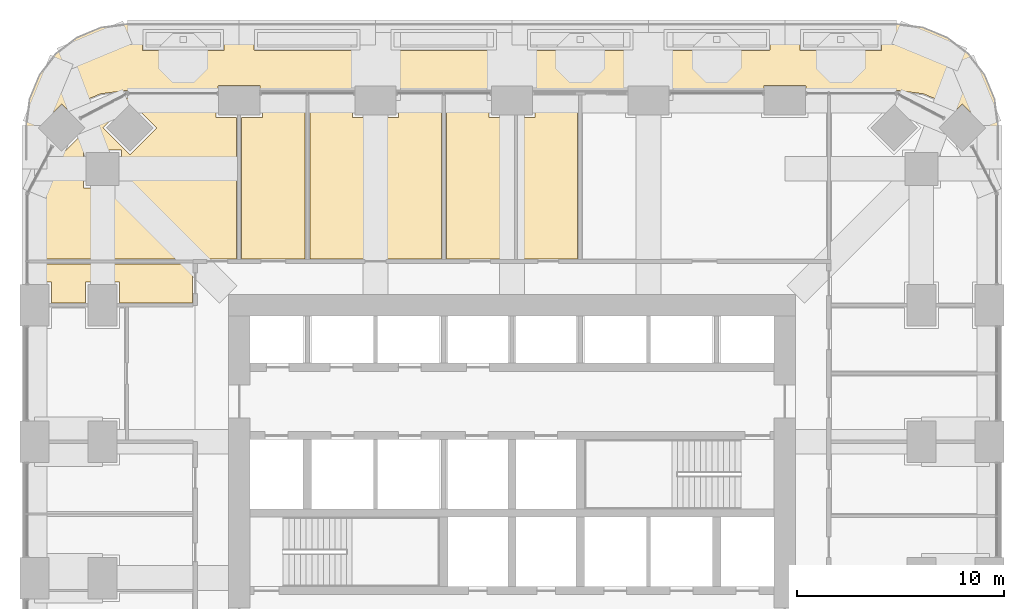
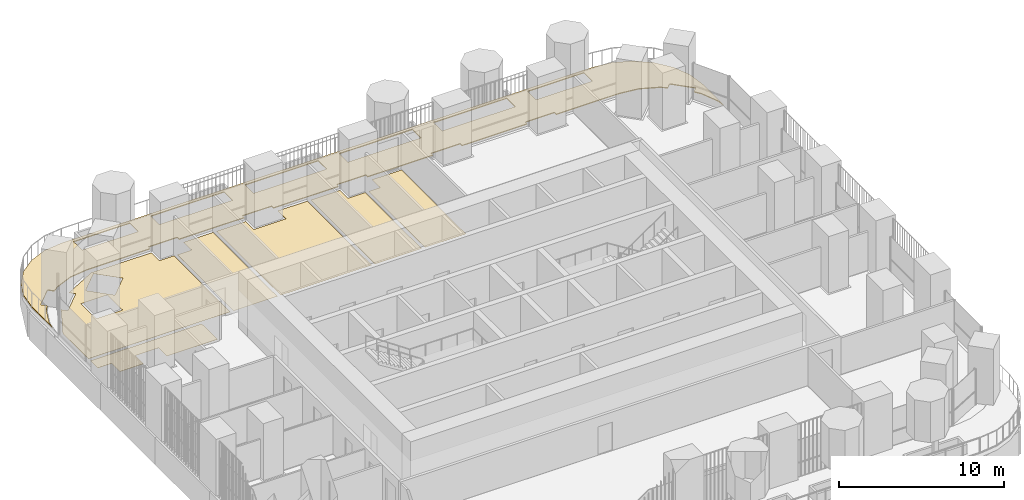
# One storey, part 20 of 22: 7 coverings.
"""IFC4 building model written with IfcOpenShell, lengths in metres."""

from ifc_helpers import new_model, si_unit, direction, frame, origin, place, context, subcontext, project, spatial, polyline, outline, extrude, material, layer, layer_set, type_object, element, save


model = new_model("IFC4")

# Units and contexts
model_context = context("Model", 3, precision=1e-05, world=origin(), true_north=direction((0.0, 1.0)))
body_context = subcontext(model_context, "Body", "Model", "MODEL_VIEW")
ifc_project = project(units=[si_unit("LENGTHUNIT", "METRE"), si_unit("AREAUNIT", "SQUARE_METRE"), si_unit("VOLUMEUNIT", "CUBIC_METRE"), si_unit("PLANEANGLEUNIT", "RADIAN"), si_unit("MASSUNIT", "GRAM", prefix="KILO")], contexts=[model_context])

# Site, building, storey
site_placement = place(None, origin())
site = spatial("IfcSite", under=ifc_project, at=site_placement, CompositionType="ELEMENT")
building_placement = place(site_placement, origin())
building = spatial("IfcBuilding", under=site, at=building_placement, Name="Cobogo Forest Laboratory Tower", CompositionType="ELEMENT")
storey_placement = place(building_placement, frame((0.0, 0.0, 155.699951171875)))
storey = spatial("IfcBuildingStorey", under=building, at=storey_placement, Name="L35", CompositionType="ELEMENT", Elevation=155.699951171875)

# Coverings
ifc_material_1 = material(Name="Carpet tile on raised access floor", Category="flooring")
ifc_layer_1 = layer(ifc_material_1, 0.008056640625)
ifc_layer_set_1 = layer_set([ifc_layer_1], Name="CT1 carpet tile floor 8")
covering_type_1 = type_object("IfcCoveringType", Name="CT1 carpet tile floor 8", PredefinedType="FLOORING", material=ifc_layer_set_1)
covering_1_placement = place(storey_placement, origin())
element("IfcCovering", 1, at=covering_1_placement, inside=storey, type_object=covering_type_1, Name="Carpet floor L35-09", PredefinedType="FLOORING", context=body_context, shape_type="SweptSolid", body=[
    extrude(outline(polyline([(3.14990234375, 35.2451171875), (3.14990234375, 38.350830078125), (4.318603515625, 40.580322265625), (4.617919921875, 40.281005859375), (5.919189453125, 41.58203125), (5.619873046875, 41.88134765625), (7.84912109375, 43.050048828125), (12.080078125, 43.050048828125), (12.080078125, 42.080078125), (13.080078125, 42.080078125), (13.080078125, 35.2451171875), (3.14990234375, 35.2451171875)]), holes=[polyline([(7.91796875, 40.281005859375), (9.218994140625, 41.58203125), (7.91796875, 42.883056640625), (6.616943359375, 41.58203125), (7.91796875, 40.281005859375)]), polyline([(5.679931640625, 38.679931640625), (7.52001953125, 38.679931640625), (7.52001953125, 40.52001953125), (5.679931640625, 40.52001953125), (5.679931640625, 38.679931640625)])]), origin(), (0.0, 0.0, 1.0), 0.008056640625),
])
covering_2_placement = place(storey_placement, origin())
element("IfcCovering", 2, at=covering_2_placement, inside=storey, type_object=covering_type_1, Name="Carpet floor L35-11", PredefinedType="FLOORING", context=body_context, shape_type="SweptSolid", body=[
    extrude(outline(polyline([(16.6201171875, 35.2451171875), (16.6201171875, 43.050048828125), (18.679931640625, 43.050048828125), (18.679931640625, 42.080078125), (20.919921875, 42.080078125), (20.919921875, 43.050048828125), (22.97998046875, 43.050048828125), (22.97998046875, 35.2451171875), (16.6201171875, 35.2451171875)])), origin(), (0.0, 0.0, 1.0), 0.008056640625),
])
covering_3_placement = place(storey_placement, origin())
element("IfcCovering", 3, at=covering_3_placement, inside=storey, type_object=covering_type_1, Name="Carpet floor L35-12", PredefinedType="FLOORING", context=body_context, shape_type="SweptSolid", body=[
    extrude(outline(polyline([(23.219970703125, 35.2451171875), (23.219970703125, 43.050048828125), (25.280029296875, 43.050048828125), (25.280029296875, 42.080078125), (26.47998046875, 42.080078125), (26.47998046875, 35.2451171875), (23.219970703125, 35.2451171875)])), origin(), (0.0, 0.0, 1.0), 0.008056640625),
])
covering_4_placement = place(storey_placement, origin())
element("IfcCovering", 4, at=covering_4_placement, inside=storey, type_object=covering_type_1, Name="Carpet floor L35-21", PredefinedType="FLOORING", context=body_context, shape_type="SweptSolid", body=[
    extrude(outline(polyline([(10.955078125, 33.1201171875), (7.419921875, 33.1201171875), (7.419921875, 34.1201171875), (5.780029296875, 34.1201171875), (5.780029296875, 33.1201171875), (4.1201171875, 33.1201171875), (4.1201171875, 34.1201171875), (3.14990234375, 34.1201171875), (3.14990234375, 35.0048828125), (10.955078125, 35.0048828125), (10.955078125, 33.1201171875)])), origin(), (0.0, 0.0, 1.0), 0.008056640625),
])
ifc_material_2 = material(Name="Bituminous waterproofing, protection board and paving", Category="roofing")
ifc_layer_2 = layer(ifc_material_2, 0.06005859375)
ifc_layer_set_2 = layer_set([ifc_layer_2], Name="RF1 terrace and roof garden build-up 60")
covering_type_2 = type_object("IfcCoveringType", Name="RF1 terrace and roof garden build-up 60", PredefinedType="ROOFING", material=ifc_layer_set_2)
covering_5_placement = place(storey_placement, origin())
element("IfcCovering", 5, at=covering_5_placement, inside=storey, type_object=covering_type_2, Name="Terrace build-up TER-N L35", PredefinedType="ROOFING", context=body_context, shape_type="SweptSolid", body=[
    extrude(outline(polyline([(3.0673828125, 42.968017578125), (3.556884765625, 44.14990234375), (4.33544921875, 45.16455078125), (5.35009765625, 45.943115234375), (6.531982421875, 46.4326171875), (7.80322265625, 46.60009765625), (44.996826171875, 46.60009765625), (46.26806640625, 46.4326171875), (47.44970703125, 45.943115234375), (48.464599609375, 45.16455078125), (49.2431640625, 44.14990234375), (49.732666015625, 42.968017578125), (49.89990234375, 41.69677734375), (49.89990234375, 39.162841796875), (49.830078125, 39.694091796875), (49.33056640625, 40.900146484375), (49.039306640625, 41.27978515625), (49.327392578125, 41.56787109375), (49.3330078125, 41.578125), (49.3330078125, 41.5859375), (49.3310546875, 41.59130859375), (48.194580078125, 42.728759765625), (48.187744140625, 42.732421875), (48.179931640625, 42.733154296875), (48.172607421875, 42.73095703125), (48.167724609375, 42.7275390625), (47.879638671875, 42.439208984375), (47.500244140625, 42.73046875), (46.294189453125, 43.22998046875), (45.003173828125, 43.39990234375), (40.6201171875, 43.39990234375), (40.619873046875, 43.60205078125), (40.61767578125, 43.609375), (40.61279296875, 43.615478515625), (40.607666015625, 43.618408203125), (40.60009765625, 43.6201171875), (38.59814453125, 43.619873046875), (38.590576171875, 43.61767578125), (38.5859375, 43.6142578125), (38.582275390625, 43.609375), (38.580078125, 43.60205078125), (38.580078125, 43.39990234375), (34.02001953125, 43.39990234375), (34.02001953125, 43.60205078125), (34.017578125, 43.609375), (34.0126953125, 43.615478515625), (34.007568359375, 43.618408203125), (34.0, 43.6201171875), (31.998046875, 43.619873046875), (31.990478515625, 43.61767578125), (31.98583984375, 43.6142578125), (31.982421875, 43.609375), (31.97998046875, 43.60205078125), (31.97998046875, 43.39990234375), (27.419921875, 43.39990234375), (27.419921875, 43.60205078125), (27.417724609375, 43.609375), (27.41259765625, 43.615478515625), (27.40771484375, 43.618408203125), (27.39990234375, 43.6201171875), (25.39794921875, 43.619873046875), (25.390625, 43.61767578125), (25.3857421875, 43.6142578125), (25.38232421875, 43.609375), (25.380126953125, 43.60205078125), (25.3798828125, 43.39990234375), (20.820068359375, 43.39990234375), (20.81982421875, 43.60205078125), (20.817626953125, 43.609375), (20.812744140625, 43.615478515625), (20.8076171875, 43.618408203125), (20.800048828125, 43.6201171875), (18.798095703125, 43.619873046875), (18.79052734375, 43.61767578125), (18.785888671875, 43.6142578125), (18.782470703125, 43.609375), (18.780029296875, 43.60205078125), (18.780029296875, 43.39990234375), (14.219970703125, 43.39990234375), (14.219970703125, 43.60205078125), (14.217529296875, 43.609375), (14.212646484375, 43.615478515625), (14.207763671875, 43.618408203125), (14.199951171875, 43.6201171875), (12.197998046875, 43.619873046875), (12.1923828125, 43.618408203125), (12.185791015625, 43.6142578125), (12.182373046875, 43.609375), (12.18017578125, 43.60205078125), (12.179931640625, 43.39990234375), (7.796630859375, 43.39990234375), (6.505859375, 43.22998046875), (5.2998046875, 42.73046875), (4.92041015625, 42.439208984375), (4.632080078125, 42.7275390625), (4.625732421875, 42.73193359375), (4.619873046875, 42.733154296875), (4.6123046875, 42.732421875), (4.605224609375, 42.728759765625), (3.468994140625, 41.59130859375), (3.467041015625, 41.5859375), (3.467041015625, 41.578125), (3.472412109375, 41.56787109375), (3.7607421875, 41.27978515625), (3.469482421875, 40.900146484375), (2.969970703125, 39.694091796875), (2.89990234375, 39.162841796875), (2.89990234375, 41.69677734375), (3.0673828125, 42.968017578125)]), holes=[polyline([(8.531494140625, 46.357666015625), (8.530029296875, 46.35009765625), (8.530029296875, 45.35009765625), (8.53076171875, 45.34423828125), (8.534423828125, 45.33740234375), (8.544189453125, 45.330810546875), (12.449951171875, 45.330078125), (12.457763671875, 45.33154296875), (12.462646484375, 45.33447265625), (12.46923828125, 45.34423828125), (12.469970703125, 46.35009765625), (12.46923828125, 46.355712890625), (12.465576171875, 46.36279296875), (12.455810546875, 46.369140625), (8.550048828125, 46.3701171875), (8.538818359375, 46.36669921875), (8.531494140625, 46.357666015625)]), polyline([(27.131591796875, 46.357666015625), (27.1298828125, 46.35009765625), (27.1298828125, 45.35009765625), (27.130859375, 45.34423828125), (27.134521484375, 45.33740234375), (27.138916015625, 45.333251953125), (27.14599609375, 45.330322265625), (32.25, 45.330078125), (32.257568359375, 45.33154296875), (32.2626953125, 45.33447265625), (32.267578125, 45.340576171875), (32.26953125, 45.34619140625), (32.27001953125, 46.35009765625), (32.2685546875, 46.357666015625), (32.265380859375, 46.36279296875), (32.259521484375, 46.36767578125), (32.25390625, 46.36962890625), (27.14990234375, 46.3701171875), (27.138916015625, 46.36669921875), (27.131591796875, 46.357666015625)]), polyline([(20.53076171875, 46.355712890625), (20.530029296875, 45.35009765625), (20.53076171875, 45.34423828125), (20.534423828125, 45.33740234375), (20.538818359375, 45.333251953125), (20.546142578125, 45.330322265625), (25.64990234375, 45.330078125), (25.65771484375, 45.33154296875), (25.66259765625, 45.33447265625), (25.667724609375, 45.340576171875), (25.669677734375, 45.34619140625), (25.669921875, 46.35009765625), (25.669189453125, 46.355712890625), (25.66552734375, 46.36279296875), (25.6611328125, 46.36669921875), (25.65380859375, 46.36962890625), (20.550048828125, 46.3701171875), (20.538818359375, 46.36669921875), (20.534423828125, 46.36279296875), (20.53076171875, 46.355712890625)]), polyline([(33.7314453125, 46.357666015625), (33.72998046875, 46.35009765625), (33.72998046875, 45.35009765625), (33.7314453125, 45.34228515625), (33.734619140625, 45.33740234375), (33.740478515625, 45.332275390625), (33.74609375, 45.330322265625), (38.85009765625, 45.330078125), (38.857666015625, 45.33154296875), (38.86279296875, 45.33447265625), (38.86767578125, 45.340576171875), (38.86962890625, 45.34619140625), (38.8701171875, 46.35009765625), (38.868408203125, 46.357666015625), (38.865478515625, 46.36279296875), (38.859375, 46.36767578125), (38.85400390625, 46.36962890625), (33.75, 46.3701171875), (33.73876953125, 46.36669921875), (33.7314453125, 46.357666015625)]), polyline([(13.931640625, 46.357666015625), (13.929931640625, 46.35009765625), (13.929931640625, 45.35009765625), (13.930908203125, 45.34423828125), (13.9345703125, 45.33740234375), (13.93896484375, 45.333251953125), (13.946044921875, 45.330322265625), (19.050048828125, 45.330078125), (19.0576171875, 45.33154296875), (19.062744140625, 45.33447265625), (19.067626953125, 45.340576171875), (19.069580078125, 45.34619140625), (19.070068359375, 46.35009765625), (19.069091796875, 46.355712890625), (19.0654296875, 46.36279296875), (19.06103515625, 46.36669921875), (19.053955078125, 46.36962890625), (13.949951171875, 46.3701171875), (13.93896484375, 46.36669921875), (13.931640625, 46.357666015625)]), polyline([(40.33154296875, 46.357666015625), (40.330078125, 46.35009765625), (40.330078125, 45.35009765625), (40.33154296875, 45.34228515625), (40.33447265625, 45.33740234375), (40.34423828125, 45.330810546875), (44.25, 45.330078125), (44.257568359375, 45.33154296875), (44.2626953125, 45.33447265625), (44.26904296875, 45.34423828125), (44.27001953125, 46.35009765625), (44.2685546875, 46.357666015625), (44.265380859375, 46.36279296875), (44.255859375, 46.369140625), (40.35009765625, 46.3701171875), (40.3388671875, 46.36669921875), (40.33154296875, 46.357666015625)])]), origin(), (0.0, 0.0, 1.0), 0.06005859375),
])
ifc_material_3 = material(Name="Static-dissipative vinyl flooring", Category="flooring")
ifc_layer_3 = layer(ifc_material_3, 0.0029296875)
ifc_layer_set_3 = layer_set([ifc_layer_3], Name="SD1 static-dissipative vinyl floor 3")
covering_type_3 = type_object("IfcCoveringType", Name="SD1 static-dissipative vinyl floor 3", PredefinedType="FLOORING", material=ifc_layer_set_3)
covering_6_placement = place(storey_placement, origin())
element("IfcCovering", 6, at=covering_6_placement, inside=storey, type_object=covering_type_3, Name="Static-dissipative floor L35-10", PredefinedType="FLOORING", context=body_context, shape_type="SweptSolid", body=[
    extrude(outline(polyline([(13.320068359375, 35.2451171875), (13.320068359375, 42.080078125), (14.320068359375, 42.080078125), (14.320068359375, 43.050048828125), (16.3798828125, 43.050048828125), (16.3798828125, 35.2451171875), (13.320068359375, 35.2451171875)])), origin(), (0.0, 0.0, 1.0), 0.0029296875),
])
ifc_material_4 = material(Name="Ceramic floor tile", Category="flooring")
ifc_layer_4 = layer(ifc_material_4, 0.010009765625)
ifc_layer_set_4 = layer_set([ifc_layer_4], Name="TF1 ceramic tile floor 10")
covering_type_4 = type_object("IfcCoveringType", Name="TF1 ceramic tile floor 10", PredefinedType="FLOORING", material=ifc_layer_set_4)
covering_7_placement = place(storey_placement, origin())
element("IfcCovering", 7, at=covering_7_placement, inside=storey, type_object=covering_type_4, Name="Tile floor L35-13", PredefinedType="FLOORING", context=body_context, shape_type="SweptSolid", body=[
    extrude(outline(polyline([(26.719970703125, 35.2451171875), (26.719970703125, 42.080078125), (27.52001953125, 42.080078125), (27.52001953125, 43.050048828125), (29.580078125, 43.050048828125), (29.580078125, 35.2451171875), (26.719970703125, 35.2451171875)])), origin(), (0.0, 0.0, 1.0), 0.010009765625),
])

save(model, "model.ifc")
